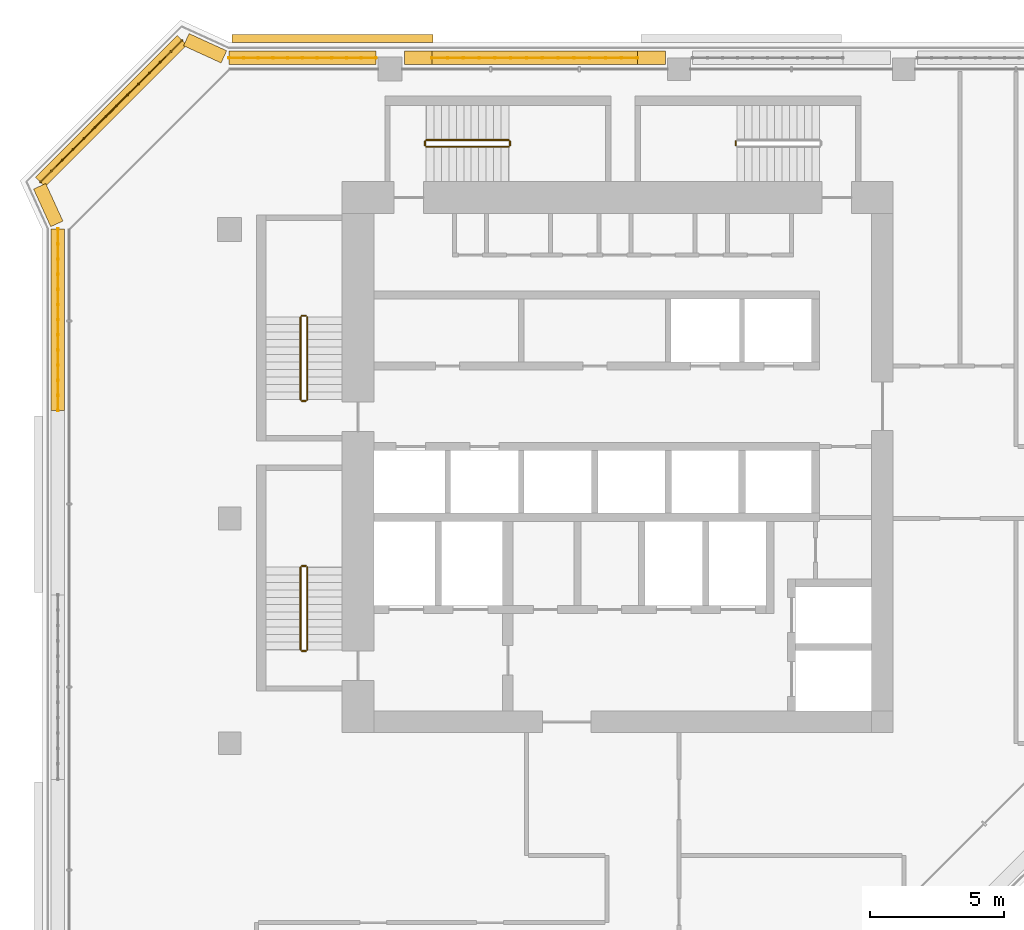
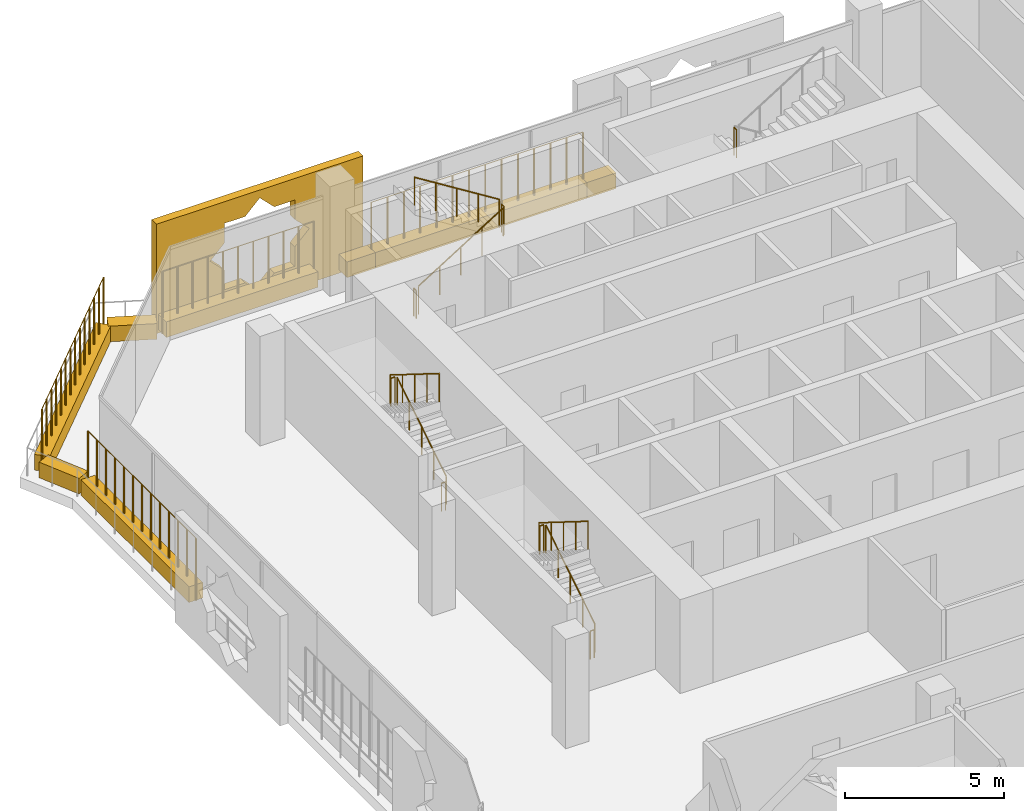
# One storey, part 22 of 24: 17 railings, 9 coverings.
"""IFC4 building model written with IfcOpenShell, lengths in metres."""

from ifc_helpers import new_model, si_unit, direction, frame, origin, origin_2d, place, context, subcontext, project, spatial, polyline, rectangle, circle, outline, extrude, material, material_profile, profile_set, type_object, element, save


model = new_model("IFC4")

# Units and contexts
model_context = context("Model", 3, precision=1e-05, world=origin(), true_north=direction((0.0, 1.0)))
body_context = subcontext(model_context, "Body", "Model", "MODEL_VIEW")
ifc_project = project(units=[si_unit("LENGTHUNIT", "METRE"), si_unit("AREAUNIT", "SQUARE_METRE"), si_unit("VOLUMEUNIT", "CUBIC_METRE"), si_unit("PLANEANGLEUNIT", "RADIAN"), si_unit("MASSUNIT", "GRAM", prefix="KILO")], contexts=[model_context])

# Site, building, storey
site_placement = place(None, origin())
site = spatial("IfcSite", under=ifc_project, at=site_placement, CompositionType="ELEMENT")
building_placement = place(site_placement, origin())
building = spatial("IfcBuilding", under=site, at=building_placement, Name="Kawkab Arch Medical Tower", CompositionType="ELEMENT")
storey_placement = place(building_placement, frame((0.0, 0.0, 218.0)))
storey = spatial("IfcBuildingStorey", under=building, at=storey_placement, Name="L50", CompositionType="ELEMENT", Elevation=218.0)

# Coverings
ifc_material_1 = material(Name="Bronze anodised aluminium mashrabiya panel, eight-point star pattern", Category="aluminium")
ifc_material_profile_1 = material_profile(ifc_material_1, outline(polyline([(-3.75, -2.10009765625), (3.75, -2.10009765625), (3.75, 2.10009765625), (-3.75, 2.10009765625), (-3.75, -2.10009765625)]), holes=[polyline([(1.800048828125, 0.0), (1.272705078125, 0.527099609375), (1.272705078125, 1.272705078125), (0.527099609375, 1.272705078125), (0.0, 1.800048828125), (-0.527099609375, 1.272705078125), (-1.272705078125, 1.272705078125), (-1.272705078125, 0.527099609375), (-1.800048828125, 0.0), (-1.272705078125, -0.527099609375), (-1.272705078125, -1.272705078125), (-0.527099609375, -1.272705078125), (0.0, -1.800048828125), (0.527099609375, -1.272705078125), (1.272705078125, -1.272705078125), (1.272705078125, -0.527099609375), (1.800048828125, 0.0)])]), Name="Mashrabiya panel 7500x4200")
ifc_profile_set_1 = profile_set([ifc_material_profile_1], Name="Bronze anodised aluminium mashrabiya panel, eight-point star pattern")
covering_type_1 = type_object("IfcCoveringType", Name="Mashrabiya panel 7500 x 4200", PredefinedType="USERDEFINED", material=ifc_profile_set_1)
covering_1_placement = place(storey_placement, frame((3.843017578125, 1.0, 1.699951171875), z_axis=(0.0, 1.0, 0.0), x_axis=(-1.0, 0.0, 0.0)))
element("IfcCovering", 1, at=covering_1_placement, inside=storey, type_object=covering_type_1, Name="Mashrabiya panel L50.LOG-01-01.3", ObjectType="SCREEN", PredefinedType="USERDEFINED", context=body_context, shape_type="SweptSolid", body=[
    extrude(outline(polyline([(-3.75, -2.10009765625), (3.75, -2.10009765625), (3.75, 2.10009765625), (-3.75, 2.10009765625), (-3.75, -2.10009765625)]), holes=[polyline([(1.800048828125, 0.0), (1.272705078125, 0.527099609375), (1.272705078125, 1.272705078125), (0.527099609375, 1.272705078125), (0.0, 1.800048828125), (-0.527099609375, 1.272705078125), (-1.272705078125, 1.272705078125), (-1.272705078125, 0.527099609375), (-1.800048828125, 0.0), (-1.272705078125, -0.527099609375), (-1.272705078125, -1.272705078125), (-0.527099609375, -1.272705078125), (0.0, -1.800048828125), (0.527099609375, -1.272705078125), (1.272705078125, -1.272705078125), (1.272705078125, -0.527099609375), (1.800048828125, 0.0)])]), origin(), (0.0, 0.0, 1.0), 0.300048828125),
])
ifc_material_2 = material(Name="Planting soil in a precast trough", Category="concrete")
ifc_material_profile_2 = material_profile(ifc_material_2, rectangle(XDim=0.5, YDim=0.60009765625, at=origin_2d()), Name="Trough 500x600")
ifc_profile_set_2 = profile_set([ifc_material_profile_2], Name="Planting soil in a precast trough")
covering_type_2 = type_object("IfcCoveringType", Name="Planter trough 500 x 600", PredefinedType="USERDEFINED", material=ifc_profile_set_2)
covering_2_placement = place(storey_placement, frame((-6.419921875, -12.763916015625, 0.300048828125), z_axis=(0.0, 1.0, 0.0), x_axis=(-1.0, 0.0, 0.0)))
element("IfcCovering", 2, at=covering_2_placement, inside=storey, type_object=covering_type_2, Name="Planter L50.LOG-01-01.7", ObjectType="PLANTER", PredefinedType="USERDEFINED", context=body_context, shape_type="SweptSolid", body=[
    extrude(rectangle(XDim=0.5, YDim=0.60009765625, at=origin_2d()), origin(), (0.0, 0.0, 1.0), 6.789794921875),
])
covering_3_placement = place(storey_placement, frame((-6.4609375, -5.782958984375, 0.300048828125), z_axis=(-0.415363486165, 0.909655525109, 0.0), x_axis=(-0.909655525109, -0.415363486165, 0.0)))
element("IfcCovering", 3, at=covering_3_placement, inside=storey, type_object=covering_type_2, Name="Planter L50.LOG-01-01.8", ObjectType="PLANTER", PredefinedType="USERDEFINED", context=body_context, shape_type="SweptSolid", body=[
    extrude(rectangle(XDim=0.5, YDim=0.60009765625, at=origin_2d()), origin(), (0.0, 0.0, 1.0), 1.54345703125),
])
covering_4_placement = place(storey_placement, frame((-7.072998046875, -4.217041015625, 0.300048828125), z_axis=(0.707106781187, 0.707106781187, 0.0), x_axis=(-0.707106781187, 0.707106781187, 0.0)))
element("IfcCovering", 4, at=covering_4_placement, inside=storey, type_object=covering_type_2, Name="Planter L50.LOG-01-01.9", ObjectType="PLANTER", PredefinedType="USERDEFINED", context=body_context, shape_type="SweptSolid", body=[
    extrude(rectangle(XDim=0.5, YDim=0.60009765625, at=origin_2d()), origin(), (0.0, 0.0, 1.0), 7.481201171875),
])
covering_5_placement = place(storey_placement, frame((-1.62109375, 1.10205078125, 0.300048828125), z_axis=(0.909655525109, -0.415363486165, 0.0), x_axis=(0.415363486165, 0.909655525109, 0.0)))
element("IfcCovering", 5, at=covering_5_placement, inside=storey, type_object=covering_type_2, Name="Planter L50.LOG-01-01.10", ObjectType="PLANTER", PredefinedType="USERDEFINED", context=body_context, shape_type="SweptSolid", body=[
    extrude(rectangle(XDim=0.5, YDim=0.60009765625, at=origin_2d()), origin(), (0.0, 0.0, 1.0), 1.54345703125),
])
covering_6_placement = place(storey_placement, frame((-0.02587890625, 0.419921875, 0.300048828125), z_axis=(1.0, 0.0, 0.0), x_axis=(0.0, 1.0, 0.0)))
element("IfcCovering", 6, at=covering_6_placement, inside=storey, type_object=covering_type_2, Name="Planter L50.LOG-01-01.11", ObjectType="PLANTER", PredefinedType="USERDEFINED", context=body_context, shape_type="SweptSolid", body=[
    extrude(rectangle(XDim=0.5, YDim=0.60009765625, at=origin_2d()), origin(), (0.0, 0.0, 1.0), 5.495849609375),
])
covering_7_placement = place(storey_placement, frame((6.530029296875, 0.419921875, 0.300048828125), z_axis=(1.0, 0.0, 0.0), x_axis=(0.0, 1.0, 0.0)))
element("IfcCovering", 7, at=covering_7_placement, inside=storey, type_object=covering_type_2, Name="Planter L50.LOG-01-01.12", ObjectType="PLANTER", PredefinedType="USERDEFINED", context=body_context, shape_type="SweptSolid", body=[
    extrude(rectangle(XDim=0.5, YDim=0.60009765625, at=origin_2d()), origin(), (0.0, 0.0, 1.0), 1.02587890625),
])
covering_8_placement = place(storey_placement, frame((7.555908203125, 0.419921875, 0.300048828125), z_axis=(1.0, 0.0, 0.0), x_axis=(0.0, 1.0, 0.0)))
element("IfcCovering", 8, at=covering_8_placement, inside=storey, type_object=covering_type_2, Name="Planter L50.LOG-01-01.13", ObjectType="PLANTER", PredefinedType="USERDEFINED", context=body_context, shape_type="SweptSolid", body=[
    extrude(rectangle(XDim=0.5, YDim=0.60009765625, at=origin_2d()), origin(), (0.0, 0.0, 1.0), 7.68115234375),
])
covering_9_placement = place(storey_placement, frame((15.237060546875, 0.419921875, 0.300048828125), z_axis=(1.0, 0.0, 0.0), x_axis=(0.0, 1.0, 0.0)))
element("IfcCovering", 9, at=covering_9_placement, inside=storey, type_object=covering_type_2, Name="Planter L50.LOG-01-01.14", ObjectType="PLANTER", PredefinedType="USERDEFINED", context=body_context, shape_type="SweptSolid", body=[
    extrude(rectangle(XDim=0.5, YDim=0.60009765625, at=origin_2d()), origin(), (0.0, 0.0, 1.0), 1.057861328125),
])

# Railings
ifc_material_3 = material(Name="Bronze anodised aluminium trellis for climbing plants", Category="aluminium")
railing_type_1 = type_object("IfcRailingType", Name="Planting trellis 2400", PredefinedType="USERDEFINED", material=ifc_material_3)
railing_1_placement = place(storey_placement, frame((-6.419921875, -12.763916015625, 0.0)))
element("IfcRailing", 10, at=railing_1_placement, inside=storey, type_object=railing_type_1, Name="Planting trellis L50.LOG-01-01.7", ObjectType="TRELLIS", PredefinedType="USERDEFINED", context=body_context, shape_type="SweptSolid", body=[
    extrude(circle(Radius=0.01513671875, at=origin_2d()), frame((0.0, 0.0, 2.384765625), z_axis=(0.0, 1.0, 0.0), x_axis=(-1.0, 0.0, 0.0)), (0.0, 0.0, 1.0), 6.789794921875),
    extrude(circle(Radius=0.030029296875, at=origin_2d()), origin(), (0.0, 0.0, 1.0), 2.369873046875),
    extrude(circle(Radius=0.030029296875, at=origin_2d()), frame((0.0, 0.56591796875, 0.0)), (0.0, 0.0, 1.0), 2.369873046875),
    extrude(circle(Radius=0.030029296875, at=origin_2d()), frame((0.0, 1.131591796875, 0.0)), (0.0, 0.0, 1.0), 2.369873046875),
    extrude(circle(Radius=0.030029296875, at=origin_2d()), frame((0.0, 1.697509765625, 0.0)), (0.0, 0.0, 1.0), 2.369873046875),
    extrude(circle(Radius=0.030029296875, at=origin_2d()), frame((0.0, 2.26318359375, 0.0)), (0.0, 0.0, 1.0), 2.369873046875),
    extrude(circle(Radius=0.030029296875, at=origin_2d()), frame((0.0, 2.8291015625, 0.0)), (0.0, 0.0, 1.0), 2.369873046875),
    extrude(circle(Radius=0.030029296875, at=origin_2d()), frame((0.0, 3.39501953125, 0.0)), (0.0, 0.0, 1.0), 2.369873046875),
    extrude(circle(Radius=0.030029296875, at=origin_2d()), frame((0.0, 3.960693359375, 0.0)), (0.0, 0.0, 1.0), 2.369873046875),
    extrude(circle(Radius=0.030029296875, at=origin_2d()), frame((0.0, 4.526611328125, 0.0)), (0.0, 0.0, 1.0), 2.369873046875),
    extrude(circle(Radius=0.030029296875, at=origin_2d()), frame((0.0, 5.09228515625, 0.0)), (0.0, 0.0, 1.0), 2.369873046875),
    extrude(circle(Radius=0.030029296875, at=origin_2d()), frame((0.0, 5.658203125, 0.0)), (0.0, 0.0, 1.0), 2.369873046875),
    extrude(circle(Radius=0.030029296875, at=origin_2d()), frame((0.0, 6.223876953125, 0.0)), (0.0, 0.0, 1.0), 2.369873046875),
    extrude(circle(Radius=0.030029296875, at=origin_2d()), frame((0.0, 6.789794921875, 0.0)), (0.0, 0.0, 1.0), 2.369873046875),
])
railing_2_placement = place(storey_placement, frame((-7.072998046875, -4.217041015625, 0.0)))
element("IfcRailing", 11, at=railing_2_placement, inside=storey, type_object=railing_type_1, Name="Planting trellis L50.LOG-01-01.9", ObjectType="TRELLIS", PredefinedType="USERDEFINED", context=body_context, shape_type="SweptSolid", body=[
    extrude(circle(Radius=0.01513671875, at=origin_2d()), frame((0.0, 0.0, 2.384765625), z_axis=(0.707106781187, 0.707106781187, 0.0), x_axis=(-0.707106781187, 0.707106781187, 0.0)), (0.0, 0.0, 1.0), 7.481201171875),
    extrude(circle(Radius=0.030029296875, at=origin_2d()), origin(), (0.0, 0.0, 1.0), 2.369873046875),
    extrude(circle(Radius=0.030029296875, at=origin_2d()), frame((0.406982421875, 0.406982421875, 0.0)), (0.0, 0.0, 1.0), 2.369873046875),
    extrude(circle(Radius=0.030029296875, at=origin_2d()), frame((0.81396484375, 0.81396484375, 0.0)), (0.0, 0.0, 1.0), 2.369873046875),
    extrude(circle(Radius=0.030029296875, at=origin_2d()), frame((1.220703125, 1.220703125, 0.0)), (0.0, 0.0, 1.0), 2.369873046875),
    extrude(circle(Radius=0.030029296875, at=origin_2d()), frame((1.627685546875, 1.627685546875, 0.0)), (0.0, 0.0, 1.0), 2.369873046875),
    extrude(circle(Radius=0.030029296875, at=origin_2d()), frame((2.03466796875, 2.03466796875, 0.0)), (0.0, 0.0, 1.0), 2.369873046875),
    extrude(circle(Radius=0.030029296875, at=origin_2d()), frame((2.441650390625, 2.441650390625, 0.0)), (0.0, 0.0, 1.0), 2.369873046875),
    extrude(circle(Radius=0.030029296875, at=origin_2d()), frame((2.848388671875, 2.848388671875, 0.0)), (0.0, 0.0, 1.0), 2.369873046875),
    extrude(circle(Radius=0.030029296875, at=origin_2d()), frame((3.25537109375, 3.25537109375, 0.0)), (0.0, 0.0, 1.0), 2.369873046875),
    extrude(circle(Radius=0.030029296875, at=origin_2d()), frame((3.662353515625, 3.662353515625, 0.0)), (0.0, 0.0, 1.0), 2.369873046875),
    extrude(circle(Radius=0.030029296875, at=origin_2d()), frame((4.0693359375, 4.0693359375, 0.0)), (0.0, 0.0, 1.0), 2.369873046875),
    extrude(circle(Radius=0.030029296875, at=origin_2d()), frame((4.47607421875, 4.47607421875, 0.0)), (0.0, 0.0, 1.0), 2.369873046875),
    extrude(circle(Radius=0.030029296875, at=origin_2d()), frame((4.883056640625, 4.883056640625, 0.0)), (0.0, 0.0, 1.0), 2.369873046875),
    extrude(circle(Radius=0.030029296875, at=origin_2d()), frame((5.2900390625, 5.2900390625, 0.0)), (0.0, 0.0, 1.0), 2.369873046875),
])
railing_3_placement = place(storey_placement, frame((-0.02587890625, 0.419921875, 0.0)))
element("IfcRailing", 12, at=railing_3_placement, inside=storey, type_object=railing_type_1, Name="Planting trellis L50.LOG-01-01.11", ObjectType="TRELLIS", PredefinedType="USERDEFINED", context=body_context, shape_type="SweptSolid", body=[
    extrude(circle(Radius=0.01513671875, at=origin_2d()), frame((0.0, 0.0, 2.384765625), z_axis=(1.0, 0.0, 0.0), x_axis=(0.0, 1.0, 0.0)), (0.0, 0.0, 1.0), 5.495849609375),
    extrude(circle(Radius=0.030029296875, at=origin_2d()), origin(), (0.0, 0.0, 1.0), 2.369873046875),
    extrude(circle(Radius=0.030029296875, at=origin_2d()), frame((0.549560546875, 0.0, 0.0)), (0.0, 0.0, 1.0), 2.369873046875),
    extrude(circle(Radius=0.030029296875, at=origin_2d()), frame((1.09912109375, 0.0, 0.0)), (0.0, 0.0, 1.0), 2.369873046875),
    extrude(circle(Radius=0.030029296875, at=origin_2d()), frame((1.648681640625, 0.0, 0.0)), (0.0, 0.0, 1.0), 2.369873046875),
    extrude(circle(Radius=0.030029296875, at=origin_2d()), frame((2.1982421875, 0.0, 0.0)), (0.0, 0.0, 1.0), 2.369873046875),
    extrude(circle(Radius=0.030029296875, at=origin_2d()), frame((2.748046875, 0.0, 0.0)), (0.0, 0.0, 1.0), 2.369873046875),
    extrude(circle(Radius=0.030029296875, at=origin_2d()), frame((3.297607421875, 0.0, 0.0)), (0.0, 0.0, 1.0), 2.369873046875),
    extrude(circle(Radius=0.030029296875, at=origin_2d()), frame((3.84716796875, 0.0, 0.0)), (0.0, 0.0, 1.0), 2.369873046875),
    extrude(circle(Radius=0.030029296875, at=origin_2d()), frame((4.396728515625, 0.0, 0.0)), (0.0, 0.0, 1.0), 2.369873046875),
    extrude(circle(Radius=0.030029296875, at=origin_2d()), frame((4.9462890625, 0.0, 0.0)), (0.0, 0.0, 1.0), 2.369873046875),
    extrude(circle(Radius=0.030029296875, at=origin_2d()), frame((5.495849609375, 0.0, 0.0)), (0.0, 0.0, 1.0), 2.369873046875),
])
railing_4_placement = place(storey_placement, frame((7.555908203125, 0.419921875, 0.0)))
element("IfcRailing", 13, at=railing_4_placement, inside=storey, type_object=railing_type_1, Name="Planting trellis L50.LOG-01-01.13", ObjectType="TRELLIS", PredefinedType="USERDEFINED", context=body_context, shape_type="SweptSolid", body=[
    extrude(circle(Radius=0.01513671875, at=origin_2d()), frame((0.0, 0.0, 2.384765625), z_axis=(1.0, 0.0, 0.0), x_axis=(0.0, 1.0, 0.0)), (0.0, 0.0, 1.0), 7.68115234375),
    extrude(circle(Radius=0.030029296875, at=origin_2d()), origin(), (0.0, 0.0, 1.0), 2.369873046875),
    extrude(circle(Radius=0.030029296875, at=origin_2d()), frame((0.5908203125, 0.0, 0.0)), (0.0, 0.0, 1.0), 2.369873046875),
    extrude(circle(Radius=0.030029296875, at=origin_2d()), frame((1.181640625, 0.0, 0.0)), (0.0, 0.0, 1.0), 2.369873046875),
    extrude(circle(Radius=0.030029296875, at=origin_2d()), frame((1.7724609375, 0.0, 0.0)), (0.0, 0.0, 1.0), 2.369873046875),
    extrude(circle(Radius=0.030029296875, at=origin_2d()), frame((2.363525390625, 0.0, 0.0)), (0.0, 0.0, 1.0), 2.369873046875),
    extrude(circle(Radius=0.030029296875, at=origin_2d()), frame((2.954345703125, 0.0, 0.0)), (0.0, 0.0, 1.0), 2.369873046875),
    extrude(circle(Radius=0.030029296875, at=origin_2d()), frame((3.545166015625, 0.0, 0.0)), (0.0, 0.0, 1.0), 2.369873046875),
    extrude(circle(Radius=0.030029296875, at=origin_2d()), frame((4.135986328125, 0.0, 0.0)), (0.0, 0.0, 1.0), 2.369873046875),
    extrude(circle(Radius=0.030029296875, at=origin_2d()), frame((4.726806640625, 0.0, 0.0)), (0.0, 0.0, 1.0), 2.369873046875),
    extrude(circle(Radius=0.030029296875, at=origin_2d()), frame((5.317626953125, 0.0, 0.0)), (0.0, 0.0, 1.0), 2.369873046875),
    extrude(circle(Radius=0.030029296875, at=origin_2d()), frame((5.90869140625, 0.0, 0.0)), (0.0, 0.0, 1.0), 2.369873046875),
    extrude(circle(Radius=0.030029296875, at=origin_2d()), frame((6.49951171875, 0.0, 0.0)), (0.0, 0.0, 1.0), 2.369873046875),
    extrude(circle(Radius=0.030029296875, at=origin_2d()), frame((7.09033203125, 0.0, 0.0)), (0.0, 0.0, 1.0), 2.369873046875),
    extrude(circle(Radius=0.030029296875, at=origin_2d()), frame((7.68115234375, 0.0, 0.0)), (0.0, 0.0, 1.0), 2.369873046875),
])
ifc_material_4 = material(Name="Stainless steel", Category="steel")
railing_type_2 = type_object("IfcRailingType", Name="Stair guard 1100", PredefinedType="GUARDRAIL", material=ifc_material_4)
railing_5_placement = place(storey_placement, frame((2.89990234375, -12.35009765625, 0.175048828125)))
element("IfcRailing", 14, at=railing_5_placement, inside=storey, type_object=railing_type_2, Name="L50 ST1 stair guard 1", PredefinedType="GUARDRAIL", context=body_context, shape_type="SweptSolid", body=[
    extrude(circle(Radius=0.02392578125, at=origin_2d()), frame((0.0, 0.0, 1.076171875), z_axis=(0.0, 0.847998304005, 0.529998940003), x_axis=(-1.0, 0.0, 0.0)), (0.0, 0.0, 1.0), 3.632080078125),
    extrude(circle(Radius=0.02099609375, at=origin_2d()), origin(), (0.0, 0.0, 1.0), 1.052001953125),
    extrude(circle(Radius=0.02099609375, at=origin_2d()), frame((0.0, 0.77001953125, 0.481201171875)), (0.0, 0.0, 1.0), 1.052001953125),
    extrude(circle(Radius=0.02099609375, at=origin_2d()), frame((0.0, 1.5400390625, 0.96240234375)), (0.0, 0.0, 1.0), 1.052001953125),
    extrude(circle(Radius=0.02099609375, at=origin_2d()), frame((0.0, 2.31005859375, 1.44384765625)), (0.0, 0.0, 1.0), 1.052001953125),
    extrude(circle(Radius=0.02099609375, at=origin_2d()), frame((0.0, 3.080078125, 1.925048828125)), (0.0, 0.0, 1.0), 1.052001953125),
])
railing_6_placement = place(storey_placement, frame((2.85009765625, -9.219970703125, 2.10009765625)))
element("IfcRailing", 15, at=railing_6_placement, inside=storey, type_object=railing_type_2, Name="L50 ST1 stair guard 2", PredefinedType="GUARDRAIL", context=body_context, shape_type="SweptSolid", body=[
    extrude(circle(Radius=0.02392578125, at=origin_2d()), frame((0.0, 0.0, 1.076171875), z_axis=(-1.0, 0.0, 0.0), x_axis=(0.0, -1.0, 0.0)), (0.0, 0.0, 1.0), 0.150146484375),
    extrude(circle(Radius=0.02099609375, at=origin_2d()), origin(), (0.0, 0.0, 1.0), 1.052001953125),
    extrude(circle(Radius=0.02099609375, at=origin_2d()), frame((-0.150146484375, 0.0, 0.0)), (0.0, 0.0, 1.0), 1.052001953125),
])
railing_7_placement = place(storey_placement, frame((2.64990234375, -9.27001953125, 2.27490234375)))
element("IfcRailing", 16, at=railing_7_placement, inside=storey, type_object=railing_type_2, Name="L50 ST1 stair guard 3", PredefinedType="GUARDRAIL", context=body_context, shape_type="SweptSolid", body=[
    extrude(circle(Radius=0.02392578125, at=origin_2d()), frame((0.0, 0.0, 1.076171875), z_axis=(0.0, -0.847998304005, 0.529998940003), x_axis=(1.0, 0.0, 0.0)), (0.0, 0.0, 1.0), 3.632080078125),
    extrude(circle(Radius=0.02099609375, at=origin_2d()), origin(), (0.0, 0.0, 1.0), 1.052001953125),
    extrude(circle(Radius=0.02099609375, at=origin_2d()), frame((0.0, -0.77001953125, 0.481201171875)), (0.0, 0.0, 1.0), 1.052001953125),
    extrude(circle(Radius=0.02099609375, at=origin_2d()), frame((0.0, -1.5400390625, 0.96240234375)), (0.0, 0.0, 1.0), 1.052001953125),
    extrude(circle(Radius=0.02099609375, at=origin_2d()), frame((0.0, -2.31005859375, 1.44384765625)), (0.0, 0.0, 1.0), 1.052001953125),
    extrude(circle(Radius=0.02099609375, at=origin_2d()), frame((0.0, -3.080078125, 1.925048828125)), (0.0, 0.0, 1.0), 1.052001953125),
])
railing_8_placement = place(storey_placement, frame((2.85009765625, -12.39990234375, 0.0)))
element("IfcRailing", 17, at=railing_8_placement, inside=storey, type_object=railing_type_2, Name="L50 ST1 stair guard 4", PredefinedType="GUARDRAIL", context=body_context, shape_type="SweptSolid", body=[
    extrude(circle(Radius=0.02392578125, at=origin_2d()), frame((0.0, 0.0, 1.076171875), z_axis=(-1.0, 0.0, 0.0), x_axis=(0.0, -1.0, 0.0)), (0.0, 0.0, 1.0), 0.150146484375),
    extrude(circle(Radius=0.02099609375, at=origin_2d()), origin(), (0.0, 0.0, 1.0), 1.052001953125),
    extrude(circle(Radius=0.02099609375, at=origin_2d()), frame((-0.150146484375, 0.0, 0.0)), (0.0, 0.0, 1.0), 1.052001953125),
])
railing_9_placement = place(storey_placement, frame((2.89990234375, -21.699951171875, 0.175048828125)))
element("IfcRailing", 18, at=railing_9_placement, inside=storey, type_object=railing_type_2, Name="L50 ST2 stair guard 1", PredefinedType="GUARDRAIL", context=body_context, shape_type="SweptSolid", body=[
    extrude(circle(Radius=0.02392578125, at=origin_2d()), frame((0.0, 0.0, 1.076171875), z_axis=(0.0, 0.847979421464, 0.530029150871), x_axis=(-1.0, 0.0, 0.0)), (0.0, 0.0, 1.0), 3.632080078125),
    extrude(circle(Radius=0.02099609375, at=origin_2d()), origin(), (0.0, 0.0, 1.0), 1.052001953125),
    extrude(circle(Radius=0.02099609375, at=origin_2d()), frame((0.0, 0.77001953125, 0.481201171875)), (0.0, 0.0, 1.0), 1.052001953125),
    extrude(circle(Radius=0.02099609375, at=origin_2d()), frame((0.0, 1.5400390625, 0.96240234375)), (0.0, 0.0, 1.0), 1.052001953125),
    extrude(circle(Radius=0.02099609375, at=origin_2d()), frame((0.0, 2.309814453125, 1.44384765625)), (0.0, 0.0, 1.0), 1.052001953125),
    extrude(circle(Radius=0.02099609375, at=origin_2d()), frame((0.0, 3.079833984375, 1.925048828125)), (0.0, 0.0, 1.0), 1.052001953125),
])
railing_10_placement = place(storey_placement, frame((2.85009765625, -18.570068359375, 2.10009765625)))
element("IfcRailing", 19, at=railing_10_placement, inside=storey, type_object=railing_type_2, Name="L50 ST2 stair guard 2", PredefinedType="GUARDRAIL", context=body_context, shape_type="SweptSolid", body=[
    extrude(circle(Radius=0.02392578125, at=origin_2d()), frame((0.0, 0.0, 1.076171875), z_axis=(-1.0, 0.0, 0.0), x_axis=(0.0, -1.0, 0.0)), (0.0, 0.0, 1.0), 0.150146484375),
    extrude(circle(Radius=0.02099609375, at=origin_2d()), origin(), (0.0, 0.0, 1.0), 1.052001953125),
    extrude(circle(Radius=0.02099609375, at=origin_2d()), frame((-0.150146484375, 0.0, 0.0)), (0.0, 0.0, 1.0), 1.052001953125),
])
railing_11_placement = place(storey_placement, frame((2.64990234375, -18.6201171875, 2.27490234375)))
element("IfcRailing", 20, at=railing_11_placement, inside=storey, type_object=railing_type_2, Name="L50 ST2 stair guard 3", PredefinedType="GUARDRAIL", context=body_context, shape_type="SweptSolid", body=[
    extrude(circle(Radius=0.02392578125, at=origin_2d()), frame((0.0, 0.0, 1.076171875), z_axis=(0.0, -0.847979421464, 0.530029150871), x_axis=(1.0, 0.0, 0.0)), (0.0, 0.0, 1.0), 3.632080078125),
    extrude(circle(Radius=0.02099609375, at=origin_2d()), origin(), (0.0, 0.0, 1.0), 1.052001953125),
    extrude(circle(Radius=0.02099609375, at=origin_2d()), frame((0.0, -0.77001953125, 0.481201171875)), (0.0, 0.0, 1.0), 1.052001953125),
    extrude(circle(Radius=0.02099609375, at=origin_2d()), frame((0.0, -1.5400390625, 0.96240234375)), (0.0, 0.0, 1.0), 1.052001953125),
    extrude(circle(Radius=0.02099609375, at=origin_2d()), frame((0.0, -2.309814453125, 1.44384765625)), (0.0, 0.0, 1.0), 1.052001953125),
    extrude(circle(Radius=0.02099609375, at=origin_2d()), frame((0.0, -3.079833984375, 1.925048828125)), (0.0, 0.0, 1.0), 1.052001953125),
])
railing_12_placement = place(storey_placement, frame((2.85009765625, -21.75, 0.0)))
element("IfcRailing", 21, at=railing_12_placement, inside=storey, type_object=railing_type_2, Name="L50 ST2 stair guard 4", PredefinedType="GUARDRAIL", context=body_context, shape_type="SweptSolid", body=[
    extrude(circle(Radius=0.02392578125, at=origin_2d()), frame((0.0, 0.0, 1.076171875), z_axis=(-1.0, 0.0, 0.0), x_axis=(0.0, -1.0, 0.0)), (0.0, 0.0, 1.0), 0.150146484375),
    extrude(circle(Radius=0.02099609375, at=origin_2d()), origin(), (0.0, 0.0, 1.0), 1.052001953125),
    extrude(circle(Radius=0.02099609375, at=origin_2d()), frame((-0.150146484375, 0.0, 0.0)), (0.0, 0.0, 1.0), 1.052001953125),
])
railing_13_placement = place(storey_placement, frame((7.35009765625, -2.89990234375, 0.175048828125)))
element("IfcRailing", 22, at=railing_13_placement, inside=storey, type_object=railing_type_2, Name="L50 ST3 stair guard 1", PredefinedType="GUARDRAIL", context=body_context, shape_type="SweptSolid", body=[
    extrude(circle(Radius=0.02392578125, at=origin_2d()), frame((0.0, 0.0, 1.076171875), z_axis=(0.847979421464, 0.0, 0.530029150871), x_axis=(0.0, 1.0, 0.0)), (0.0, 0.0, 1.0), 3.632080078125),
    extrude(circle(Radius=0.02099609375, at=origin_2d()), origin(), (0.0, 0.0, 1.0), 1.052001953125),
    extrude(circle(Radius=0.02099609375, at=origin_2d()), frame((0.77001953125, 0.0, 0.481201171875)), (0.0, 0.0, 1.0), 1.052001953125),
    extrude(circle(Radius=0.02099609375, at=origin_2d()), frame((1.5400390625, 0.0, 0.96240234375)), (0.0, 0.0, 1.0), 1.052001953125),
    extrude(circle(Radius=0.02099609375, at=origin_2d()), frame((2.309814453125, 0.0, 1.44384765625)), (0.0, 0.0, 1.0), 1.052001953125),
    extrude(circle(Radius=0.02099609375, at=origin_2d()), frame((3.079833984375, 0.0, 1.925048828125)), (0.0, 0.0, 1.0), 1.052001953125),
])
railing_14_placement = place(storey_placement, frame((10.47998046875, -2.85009765625, 2.10009765625)))
element("IfcRailing", 23, at=railing_14_placement, inside=storey, type_object=railing_type_2, Name="L50 ST3 stair guard 2", PredefinedType="GUARDRAIL", context=body_context, shape_type="SweptSolid", body=[
    extrude(circle(Radius=0.02392578125, at=origin_2d()), frame((0.0, 0.0, 1.076171875), z_axis=(0.0, 1.0, 0.0), x_axis=(-1.0, 0.0, 0.0)), (0.0, 0.0, 1.0), 0.150146484375),
    extrude(circle(Radius=0.02099609375, at=origin_2d()), origin(), (0.0, 0.0, 1.0), 1.052001953125),
    extrude(circle(Radius=0.02099609375, at=origin_2d()), frame((0.0, 0.150146484375, 0.0)), (0.0, 0.0, 1.0), 1.052001953125),
])
railing_15_placement = place(storey_placement, frame((10.429931640625, -2.64990234375, 2.27490234375)))
element("IfcRailing", 24, at=railing_15_placement, inside=storey, type_object=railing_type_2, Name="L50 ST3 stair guard 3", PredefinedType="GUARDRAIL", context=body_context, shape_type="SweptSolid", body=[
    extrude(circle(Radius=0.02392578125, at=origin_2d()), frame((0.0, 0.0, 1.076171875), z_axis=(-0.847979421464, 0.0, 0.530029150871), x_axis=(0.0, -1.0, 0.0)), (0.0, 0.0, 1.0), 3.632080078125),
    extrude(circle(Radius=0.02099609375, at=origin_2d()), origin(), (0.0, 0.0, 1.0), 1.052001953125),
    extrude(circle(Radius=0.02099609375, at=origin_2d()), frame((-0.77001953125, 0.0, 0.481201171875)), (0.0, 0.0, 1.0), 1.052001953125),
    extrude(circle(Radius=0.02099609375, at=origin_2d()), frame((-1.5400390625, 0.0, 0.96240234375)), (0.0, 0.0, 1.0), 1.052001953125),
    extrude(circle(Radius=0.02099609375, at=origin_2d()), frame((-2.309814453125, 0.0, 1.44384765625)), (0.0, 0.0, 1.0), 1.052001953125),
    extrude(circle(Radius=0.02099609375, at=origin_2d()), frame((-3.079833984375, 0.0, 1.925048828125)), (0.0, 0.0, 1.0), 1.052001953125),
])
railing_16_placement = place(storey_placement, frame((7.300048828125, -2.85009765625, 0.0)))
element("IfcRailing", 25, at=railing_16_placement, inside=storey, type_object=railing_type_2, Name="L50 ST3 stair guard 4", PredefinedType="GUARDRAIL", context=body_context, shape_type="SweptSolid", body=[
    extrude(circle(Radius=0.02392578125, at=origin_2d()), frame((0.0, 0.0, 1.076171875), z_axis=(0.0, 1.0, 0.0), x_axis=(-1.0, 0.0, 0.0)), (0.0, 0.0, 1.0), 0.150146484375),
    extrude(circle(Radius=0.02099609375, at=origin_2d()), origin(), (0.0, 0.0, 1.0), 1.052001953125),
    extrude(circle(Radius=0.02099609375, at=origin_2d()), frame((0.0, 0.150146484375, 0.0)), (0.0, 0.0, 1.0), 1.052001953125),
])
railing_17_placement = place(storey_placement, frame((18.919921875, -2.699951171875, 2.10009765625)))
element("IfcRailing", 26, at=railing_17_placement, inside=storey, type_object=railing_type_2, Name="L50 ST4 stair guard 2", PredefinedType="GUARDRAIL", context=body_context, shape_type="SweptSolid", body=[
    extrude(circle(Radius=0.02392578125, at=origin_2d()), frame((0.0, 0.0, 1.076171875), z_axis=(0.0, -1.0, 0.0), x_axis=(1.0, 0.0, 0.0)), (0.0, 0.0, 1.0), 0.150146484375),
    extrude(circle(Radius=0.02099609375, at=origin_2d()), origin(), (0.0, 0.0, 1.0), 1.052001953125),
    extrude(circle(Radius=0.02099609375, at=origin_2d()), frame((0.0, -0.150146484375, 0.0)), (0.0, 0.0, 1.0), 1.052001953125),
])

save(model, "model.ifc")
